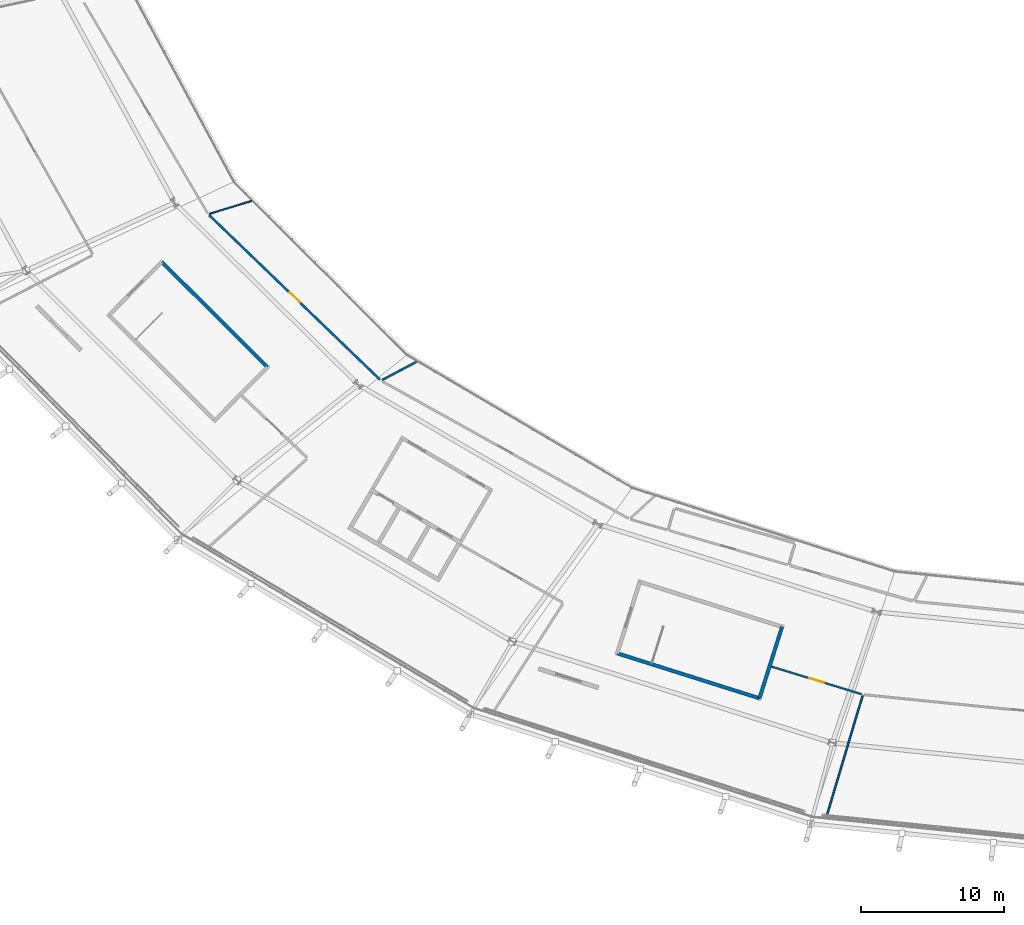
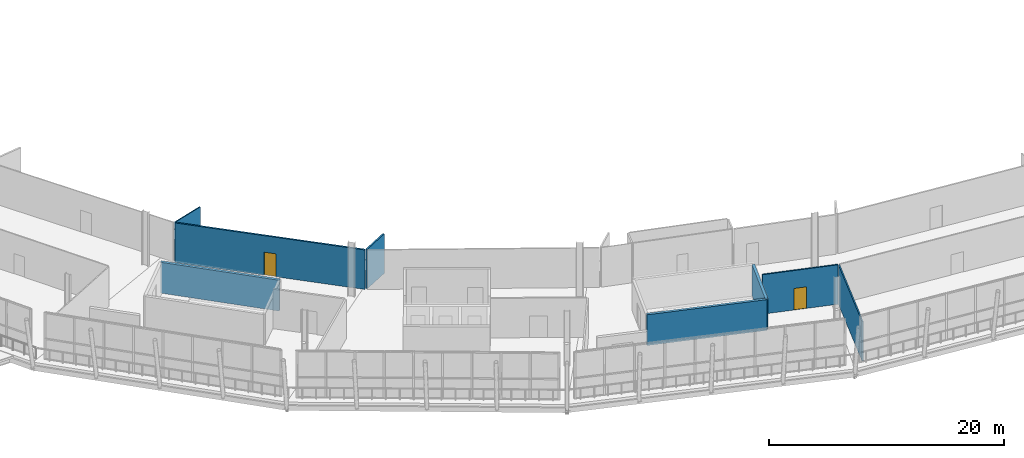
# One storey, part 83 of 99: 8 walls, 2 doors, 2 openings.
"""IFC4 building model written with IfcOpenShell, lengths in metres."""

from ifc_helpers import new_model, si_unit, direction, frame, frame_2d, origin, place, context, subcontext, project, spatial, rectangle, extrude, material, layer, layer_set, type_object, element, fill, save


model = new_model("IFC4")

# Units and contexts
model_context = context("Model", 3, precision=1e-05, world=origin(), true_north=direction((0.0, 1.0)))
body_context = subcontext(model_context, "Body", "Model", "MODEL_VIEW")
ifc_project = project(units=[si_unit("LENGTHUNIT", "METRE"), si_unit("AREAUNIT", "SQUARE_METRE"), si_unit("VOLUMEUNIT", "CUBIC_METRE"), si_unit("PLANEANGLEUNIT", "RADIAN"), si_unit("MASSUNIT", "GRAM", prefix="KILO")], contexts=[model_context])

# Site, building, storey
site_placement = place(None, origin())
site = spatial("IfcSite", under=ifc_project, at=site_placement, CompositionType="ELEMENT")
building_placement = place(site_placement, origin())
building = spatial("IfcBuilding", under=site, at=building_placement, Name="Zlatoyarsky Gate Stadium", CompositionType="ELEMENT")
storey_placement = place(building_placement, frame((0.0, 0.0, 26.199951171875)))
storey = spatial("IfcBuildingStorey", under=building, at=storey_placement, Name="L05", CompositionType="ELEMENT", Elevation=26.199951171875)

# Walls
ifc_material_1 = material(Name="Metal-stud gypsum partition", Category="gypsum")
ifc_layer_1 = layer(ifc_material_1, 0.14990234375)
ifc_layer_set_1 = layer_set([ifc_layer_1], Name="Metal-stud gypsum partition")
wall_type_1 = type_object("IfcWallType", Name="CONCOURSE CORRIDOR PARTITION 150", PredefinedType="PARTITIONING", material=ifc_layer_set_1)
wall_1_placement = place(storey_placement, frame((57.78955078125, 38.10595703125, 0.0), z_axis=(0.0, 0.0, 1.0), x_axis=(-0.883896941825, -0.467681725356, 0.0)))
element("IfcWall", 1, at=wall_1_placement, inside=storey, type_object=wall_type_1, Name="L05 interior partition PRT-L05-IRD-15", PredefinedType="PARTITIONING", context=body_context, shape_type="SweptSolid", body=[
    extrude(rectangle(XDim=2.722900390625, YDim=0.14990234375, at=frame_2d((1.361328125, 0.0))), origin(), (0.0, 0.0, 1.0), 4.10009765625),
])
ifc_material_2 = material(Name="Concrete C40/50", Category="concrete")
ifc_layer_2 = layer(ifc_material_2, 0.25)
ifc_layer_set_2 = layer_set([ifc_layer_2], Name="Concrete C40/50")
wall_type_2 = type_object("IfcWallType", Name="CONCRETE STAIR CORE SHEAR WALL 250", PredefinedType="SHEAR", material=ifc_layer_set_2)
wall_2_placement = place(storey_placement, frame((47.369140625, 37.7314453125, 0.0), z_axis=(0.0, 0.0, 1.0), x_axis=(-0.708891762409, 0.705317282639, 0.0)))
element("IfcWall", 2, at=wall_2_placement, inside=storey, type_object=wall_type_2, Name="ST-08 L05 stair core right shear wall", PredefinedType="SHEAR", context=body_context, shape_type="SweptSolid", body=[
    extrude(rectangle(XDim=10.449951171875, YDim=0.25, at=frame_2d((5.22509765625, 0.0))), origin(), (0.0, 0.0, 1.0), 3.199951171875),
])
wall_3_placement = place(storey_placement, frame((71.853759765625, 17.693115234375, 0.0), z_axis=(0.0, 0.0, 1.0), x_axis=(0.953461834254, -0.301513732061, 0.0)))
element("IfcWall", 3, at=wall_3_placement, inside=storey, type_object=wall_type_2, Name="ST-09 L05 stair core left shear wall", PredefinedType="SHEAR", context=body_context, shape_type="SweptSolid", body=[
    extrude(rectangle(XDim=10.4501953125, YDim=0.25, at=frame_2d((5.22509765625, 0.0))), origin(), (0.0, 0.0, 1.0), 3.199951171875),
])
wall_4_placement = place(storey_placement, frame((81.817626953125, 14.542236328125, 0.0), z_axis=(0.0, 0.0, 1.0), x_axis=(0.301485222482, 0.953470849384, 0.0)))
element("IfcWall", 4, at=wall_4_placement, inside=storey, type_object=wall_type_2, Name="ST-09 L05 stair core far shear wall", PredefinedType="SHEAR", context=body_context, shape_type="SweptSolid", body=[
    extrude(rectangle(XDim=5.25, YDim=0.25, at=frame_2d((2.625, 0.0))), origin(), (0.0, 0.0, 1.0), 3.199951171875),
])
ifc_material_3 = material(Name="Timber-veneered acoustic operable partition", Category="wood")
ifc_layer_3 = layer(ifc_material_3, 0.094970703125)
ifc_layer_set_3 = layer_set([ifc_layer_3], Name="Timber-veneered acoustic operable partition")
wall_type_3 = type_object("IfcWallType", Name="FOLDING BANQUET SALON WALL 95", PredefinedType="MOVABLE", material=ifc_layer_set_3)
wall_5_placement = place(storey_placement, frame((46.251708984375, 49.375732421875, 0.0), z_axis=(0.0, 0.0, 1.0), x_axis=(-0.956714920608, -0.291026735345, 0.0)))
element("IfcWall", 5, at=wall_5_placement, inside=storey, type_object=wall_type_3, Name="L05 interior partition PRT-L05-IRD-14", PredefinedType="MOVABLE", context=body_context, shape_type="SweptSolid", body=[
    extrude(rectangle(XDim=3.09716796875, YDim=0.094970703125, at=frame_2d((1.548583984375, 0.0))), origin(), (0.0, 0.0, 1.0), 4.10009765625),
])

# Wall, opening, door
ifc_material_4 = material(Name="Acoustic metal-stud gypsum partition", Category="gypsum")
ifc_layer_4 = layer(ifc_material_4, 0.159912109375)
ifc_layer_set_4 = layer_set([ifc_layer_4], Name="Acoustic metal-stud gypsum partition")
wall_type_4 = type_object("IfcWallType", Name="HOSPITALITY SUITE PARTITION 160", PredefinedType="PARTITIONING", material=ifc_layer_set_4)
wall_6_placement = place(storey_placement, frame((43.268310546875, 48.390625, 0.0), z_axis=(0.0, 0.0, 1.0), x_axis=(0.720180032826, -0.693787229862, 0.0)))
wall_6 = element("IfcWall", 6, at=wall_6_placement, inside=storey, type_object=wall_type_4, Name="L05 interior partition PRT-L05-ICC-14", PredefinedType="PARTITIONING", context=body_context, shape_type="SweptSolid", body=[
    extrude(rectangle(XDim=16.632080078125, YDim=0.159912109375, at=frame_2d((8.31591796875, 0.0))), origin(), (0.0, 0.0, 1.0), 4.10009765625),
])
opening_1_placement = place(wall_6_placement, frame((7.805908203125, 0.0, 0.0)))
opening_1 = element("IfcOpeningElement", 7, at=opening_1_placement, cuts=wall_6, Name="Opening D-L05-641", PredefinedType="OPENING", context=body_context, shape_type="SweptSolid", body=[
    extrude(rectangle(XDim=1.02001953125, YDim=2.3798828125, at=frame_2d((0.510009765625, 1.18994140625))), frame((0.0, 0.08984375, 0.0), z_axis=(0.0, -1.0, 0.0), x_axis=(1.0, 0.0, 0.0)), (0.0, 0.0, 1.0), 0.179931640625),
])
ifc_material_5 = material(Name="Powder-coated steel fire door", Category="steel")
door_type_1 = type_object("IfcDoorType", Name="ACOUSTIC INTERIOR DOOR 1020X2380", OperationType="NOTDEFINED", PredefinedType="DOOR", material=ifc_material_5)
door_1_placement = place(opening_1_placement, origin())
door_1 = element("IfcDoor", 8, at=door_1_placement, inside=storey, type_object=door_type_1, Name="L05 room door D-L05-641", OperationType="SINGLE_SWING_LEFT", OverallHeight=2.3798828125, OverallWidth=1.02001953125, PredefinedType="DOOR", context=body_context, shape_type="SweptSolid", body=[
    extrude(rectangle(XDim=1.02001953125, YDim=2.3798828125, at=frame_2d((0.510009765625, 1.18994140625))), frame((0.0, 0.02490234375, 0.0), z_axis=(0.0, -1.0, 0.0), x_axis=(1.0, 0.0, 0.0)), (0.0, 0.0, 1.0), 0.050048828125),
])
fill(opening_1, door_1)

# Wall
ifc_layer_5 = layer(ifc_material_1, 0.1201171875)
ifc_layer_set_5 = layer_set([ifc_layer_5], Name="Metal-stud gypsum partition")
wall_type_5 = type_object("IfcWallType", Name="OFFICE AND PRESS PARTITION 120", PredefinedType="PARTITIONING", material=ifc_layer_set_5)
wall_7_placement = place(storey_placement, frame((89.041259765625, 14.72021484375, 0.0), z_axis=(0.0, 0.0, 1.0), x_axis=(-0.285961904243, -0.958240987081, 0.0)))
element("IfcWall", 9, at=wall_7_placement, inside=storey, type_object=wall_type_5, Name="L05 interior partition PRT-L05-ORD-16R", PredefinedType="PARTITIONING", context=body_context, shape_type="SweptSolid", body=[
    extrude(rectangle(XDim=8.68017578125, YDim=0.1201171875, at=frame_2d((4.340087890625, 0.0))), origin(), (0.0, 0.0, 1.0), 4.10009765625),
])

# Wall, opening, door
ifc_material_6 = material(Name="Moisture-resistant tile-backed partition", Category="gypsum")
ifc_layer_6 = layer(ifc_material_6, 0.1298828125)
ifc_layer_set_6 = layer_set([ifc_layer_6], Name="Moisture-resistant tile-backed partition")
wall_type_6 = type_object("IfcWallType", Name="SANITARY WET ROOM PARTITION 130", PredefinedType="PARTITIONING", material=ifc_layer_set_6)
wall_8_placement = place(storey_placement, frame((82.65625, 16.763671875, 0.0), z_axis=(0.0, 0.0, 1.0), x_axis=(0.956207119829, -0.29269086762, 0.0)))
wall_8 = element("IfcWall", 10, at=wall_8_placement, inside=storey, type_object=wall_type_6, Name="L05 interior partition PRT-L05-OCC-16-1", PredefinedType="PARTITIONING", context=body_context, shape_type="SweptSolid", body=[
    extrude(rectangle(XDim=6.617919921875, YDim=0.1298828125, at=frame_2d((3.30908203125, 0.0))), origin(), (0.0, 0.0, 1.0), 4.10009765625),
])
opening_2_placement = place(wall_8_placement, frame((2.768798828125, 0.0, 0.0)))
opening_2 = element("IfcOpeningElement", 11, at=opening_2_placement, cuts=wall_8, Name="Opening D-L05-694", PredefinedType="OPENING", context=body_context, shape_type="SweptSolid", body=[
    extrude(rectangle(XDim=1.080078125, YDim=2.239990234375, at=frame_2d((0.5400390625, 1.1201171875))), frame((0.0, 0.074951171875, 0.0), z_axis=(0.0, -1.0, 0.0), x_axis=(1.0, 0.0, 0.0)), (0.0, 0.0, 1.0), 0.14990234375),
])
ifc_material_7 = material(Name="Solid-core oak veneer acoustic door", Category="wood")
door_type_2 = type_object("IfcDoorType", Name="ACOUSTIC INTERIOR DOOR 1080X2240", OperationType="NOTDEFINED", PredefinedType="DOOR", material=ifc_material_7)
door_2_placement = place(opening_2_placement, origin())
door_2 = element("IfcDoor", 12, at=door_2_placement, inside=storey, type_object=door_type_2, Name="L05 room door D-L05-694", OperationType="SINGLE_SWING_RIGHT", OverallHeight=2.239990234375, OverallWidth=1.080078125, PredefinedType="DOOR", context=body_context, shape_type="SweptSolid", body=[
    extrude(rectangle(XDim=1.080078125, YDim=2.239990234375, at=frame_2d((0.5400390625, 1.1201171875))), frame((0.0, 0.02490234375, 0.0), z_axis=(0.0, -1.0, 0.0), x_axis=(1.0, 0.0, 0.0)), (0.0, 0.0, 1.0), 0.050048828125),
])
fill(opening_2, door_2)

save(model, "model.ifc")
